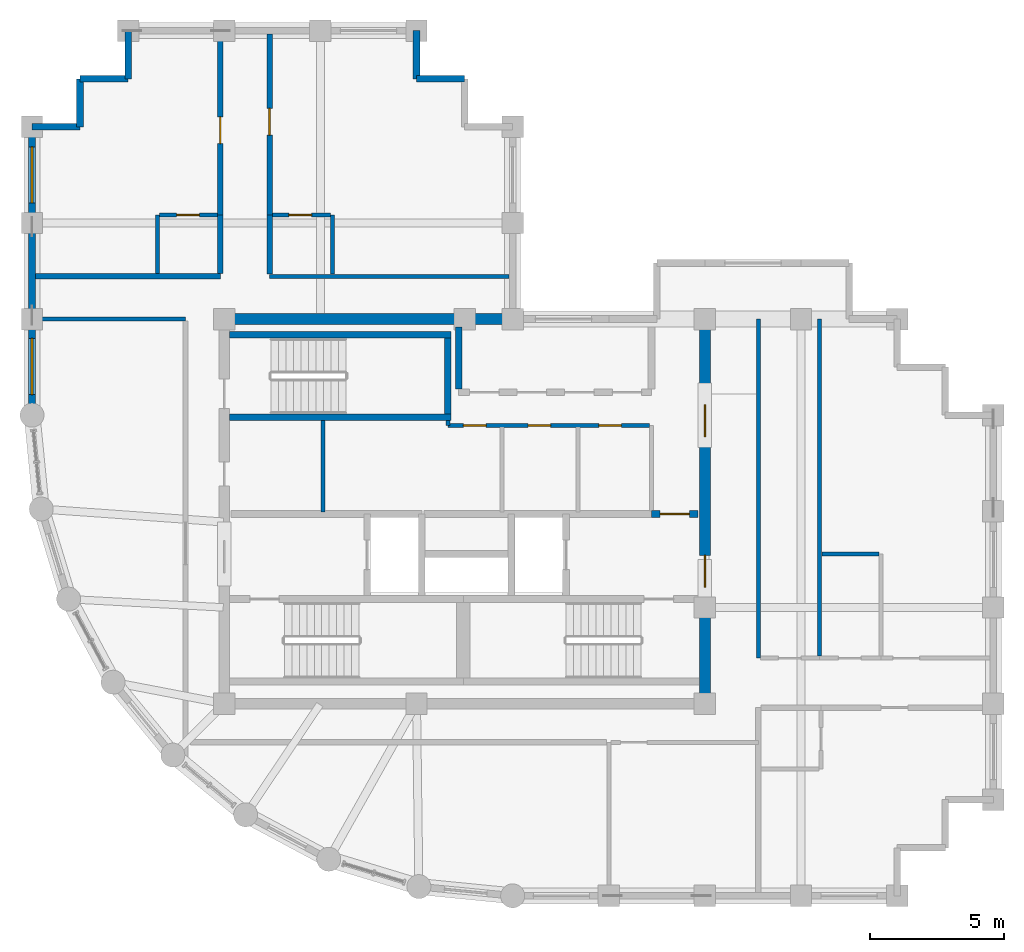
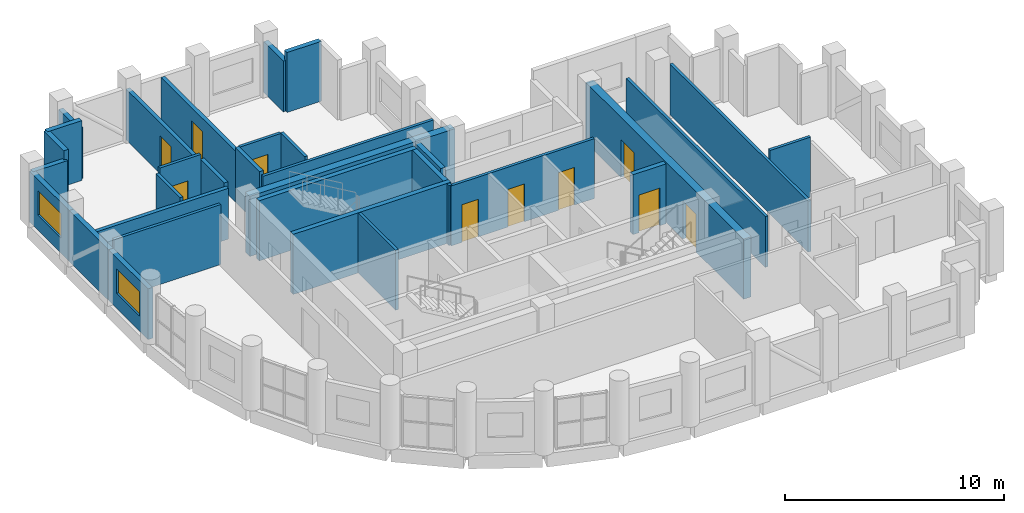
# One storey, part 8 of 11: 33 walls, 10 doors, 2 windows, 12 openings.
"""IFC4 building model written with IfcOpenShell, lengths in metres."""

from ifc_helpers import new_model, si_unit, direction, frame, frame_2d, origin, place, context, subcontext, project, spatial, rectangle, extrude, material, layer, layer_set, type_object, element, fill, save


model = new_model("IFC4")

# Units and contexts
model_context = context("Model", 3, precision=1e-05, world=origin(), true_north=direction((0.0, 1.0)))
body_context = subcontext(model_context, "Body", "Model", "MODEL_VIEW")
ifc_project = project(units=[si_unit("LENGTHUNIT", "METRE"), si_unit("AREAUNIT", "SQUARE_METRE"), si_unit("VOLUMEUNIT", "CUBIC_METRE"), si_unit("PLANEANGLEUNIT", "RADIAN"), si_unit("MASSUNIT", "GRAM", prefix="KILO")], contexts=[model_context])

# Site, building, storey
site_placement = place(None, origin())
site = spatial("IfcSite", under=ifc_project, at=site_placement, CompositionType="ELEMENT")
building_placement = place(site_placement, origin())
building = spatial("IfcBuilding", under=site, at=building_placement, Name="Solnavia Interchange Tower", CompositionType="ELEMENT")
storey_placement = place(building_placement, frame((0.0, 0.0, 284.60009765625)))
storey = spatial("IfcBuildingStorey", under=building, at=storey_placement, Name="L72", CompositionType="ELEMENT", Elevation=284.60009765625)

# Walls
ifc_material_1 = material(Name="Gypsum Acoustic Twin-Stud & Mineral Wool", Category="gypsum")
ifc_layer_1 = layer(ifc_material_1, 0.199951171875)
ifc_layer_set_1 = layer_set([ifc_layer_1], Name="Gypsum Acoustic Twin-Stud & Mineral Wool")
wall_type_1 = type_object("IfcWallType", Name="Wall-ApartmentParty-200", PredefinedType="PARTITIONING", material=ifc_layer_set_1)
wall_1_placement = place(storey_placement, frame((7.3291015625, 26.800048828125, 0.0), z_axis=(0.0, 0.0, 1.0), x_axis=(1.0, 0.0, 0.0)))
element("IfcWall", 1, at=wall_1_placement, inside=storey, type_object=wall_type_1, Name="PTW-L72-18 Interior partition wall", PredefinedType="PARTITIONING", context=body_context, shape_type="SweptSolid", body=[
    extrude(rectangle(XDim=6.9208984375, YDim=0.199951171875, at=frame_2d((3.46044921875, 0.0))), origin(), (0.0, 0.0, 1.0), 2.829833984375),
])
wall_2_placement = place(storey_placement, frame((14.25, 26.904052734375, 0.0), z_axis=(0.0, 0.0, 1.0), x_axis=(0.0, 1.0, 0.0)))
element("IfcWall", 2, at=wall_2_placement, inside=storey, type_object=wall_type_1, Name="PTW-L72-19 Interior partition wall", PredefinedType="PARTITIONING", context=body_context, shape_type="SweptSolid", body=[
    extrude(rectangle(XDim=2.196044921875, YDim=0.199951171875, at=frame_2d((1.09814453125, 0.0))), origin(), (0.0, 0.0, 1.0), 3.02978515625),
])

# Wall, opening, door
wall_3_placement = place(storey_placement, frame((14.25, 29.10009765625, 0.0), z_axis=(0.0, 0.0, 1.0), x_axis=(0.0, 1.0, 0.0)))
wall_3 = element("IfcWall", 3, at=wall_3_placement, inside=storey, type_object=wall_type_1, Name="PTW-L72-20 Interior partition wall", PredefinedType="PARTITIONING", context=body_context, shape_type="SweptSolid", body=[
    extrude(rectangle(XDim=6.77099609375, YDim=0.199951171875, at=frame_2d((3.385498046875, 0.0))), origin(), (0.0, 0.0, 1.0), 2.829833984375),
])
opening_1_placement = place(wall_3_placement, frame((2.6708984375, 0.0, 0.0)))
opening_1 = element("IfcOpeningElement", 4, at=opening_1_placement, cuts=wall_3, Name="Opening DR-06", PredefinedType="OPENING", context=body_context, shape_type="SweptSolid", body=[
    extrude(rectangle(XDim=1.0, YDim=2.10009765625, at=frame_2d((0.5, 1.050048828125))), frame((0.0, 0.10986328125, 0.0), z_axis=(0.0, -1.0, 0.0), x_axis=(1.0, 0.0, 0.0)), (0.0, 0.0, 1.0), 0.219970703125),
])
ifc_material_2 = material(Name="Engineered Timber Acoustic Fire Door", Category="wood")
door_type_1 = type_object("IfcDoorType", Name="Door-FlatEntry-1000x2100", OperationType="SINGLE_SWING_LEFT", PredefinedType="DOOR", material=ifc_material_2)
door_1_placement = place(opening_1_placement, origin())
door_1 = element("IfcDoor", 5, at=door_1_placement, inside=storey, type_object=door_type_1, Name="DR-L72-08 Interior room door", OperationType="SINGLE_SWING_RIGHT", OverallHeight=2.10009765625, OverallWidth=1.0, PredefinedType="DOOR", context=body_context, shape_type="SweptSolid", body=[
    extrude(rectangle(XDim=1.0, YDim=2.10009765625, at=frame_2d((0.5, 1.050048828125))), frame((0.0, 0.02490234375, 0.0), z_axis=(0.0, -1.0, 0.0), x_axis=(1.0, 0.0, 0.0)), (0.0, 0.0, 1.0), 0.050048828125),
])
fill(opening_1, door_1)

# Wall
wall_4_placement = place(storey_placement, frame((16.10009765625, 26.87890625, 0.0), z_axis=(0.0, 0.0, 1.0), x_axis=(0.0, 1.0, 0.0)))
element("IfcWall", 6, at=wall_4_placement, inside=storey, type_object=wall_type_1, Name="PTW-L72-24 Interior partition wall", PredefinedType="PARTITIONING", context=body_context, shape_type="SweptSolid", body=[
    extrude(rectangle(XDim=2.22119140625, YDim=0.199951171875, at=frame_2d((1.110595703125, 0.0))), origin(), (0.0, 0.0, 1.0), 3.02978515625),
])

# Wall, opening, door
wall_5_placement = place(storey_placement, frame((16.10009765625, 29.10009765625, 0.0), z_axis=(0.0, 0.0, 1.0), x_axis=(0.0, 1.0, 0.0)))
wall_5 = element("IfcWall", 7, at=wall_5_placement, inside=storey, type_object=wall_type_1, Name="PTW-L72-25 Interior partition wall", PredefinedType="PARTITIONING", context=body_context, shape_type="SweptSolid", body=[
    extrude(rectangle(XDim=6.77099609375, YDim=0.199951171875, at=frame_2d((3.385498046875, 0.0))), origin(), (0.0, 0.0, 1.0), 2.829833984375),
])
opening_2_placement = place(wall_5_placement, frame((2.989990234375, 0.0, 0.0)))
opening_2 = element("IfcOpeningElement", 8, at=opening_2_placement, cuts=wall_5, Name="Opening DR-06", PredefinedType="OPENING", context=body_context, shape_type="SweptSolid", body=[
    extrude(rectangle(XDim=1.0, YDim=2.10009765625, at=frame_2d((0.5, 1.050048828125))), frame((0.0, 0.10986328125, 0.0), z_axis=(0.0, -1.0, 0.0), x_axis=(1.0, 0.0, 0.0)), (0.0, 0.0, 1.0), 0.219970703125),
])
door_2_placement = place(opening_2_placement, origin())
door_2 = element("IfcDoor", 9, at=door_2_placement, inside=storey, type_object=door_type_1, Name="DR-L72-10 Interior room door", OperationType="SINGLE_SWING_LEFT", OverallHeight=2.10009765625, OverallWidth=1.0, PredefinedType="DOOR", context=body_context, shape_type="SweptSolid", body=[
    extrude(rectangle(XDim=1.0, YDim=2.10009765625, at=frame_2d((0.5, 1.050048828125))), frame((0.0, 0.02490234375, 0.0), z_axis=(0.0, -1.0, 0.0), x_axis=(1.0, 0.0, 0.0)), (0.0, 0.0, 1.0), 0.050048828125),
])
fill(opening_2, door_2)

# Walls
ifc_material_3 = material(Name="Concrete C40/50", Category="concrete")
ifc_layer_2 = layer(ifc_material_3, 0.25)
ifc_layer_set_2 = layer_set([ifc_layer_2], Name="Concrete C40/50")
wall_type_2 = type_object("IfcWallType", Name="Wall-ExtSpandrel-250", PredefinedType="STANDARD", material=ifc_layer_set_2)
wall_6_placement = place(storey_placement, frame((21.60009765625, 34.199951171875, 0.0), z_axis=(0.0, 0.0, 1.0), x_axis=(1.0, 0.0, 0.0)))
element("IfcWall", 10, at=wall_6_placement, inside=storey, type_object=wall_type_2, Name="EXW-L72-29 Exterior precast spandrel wall", PredefinedType="STANDARD", context=body_context, shape_type="SweptSolid", body=[
    extrude(rectangle(XDim=1.7998046875, YDim=0.25, at=frame_2d((0.89990234375, 0.0))), origin(), (0.0, 0.0, 1.0), 3.3349609375),
])
for number, where, z_axis, x_axis, name in (
    (11, (21.60009765625, 34.199951171875, 0.0), (0.0, 0.0, 1.0), (0.0, 1.0, 0.0), "EXW-L72-30 Exterior precast spandrel wall"),
    (12, (10.800048828125, 34.199951171875, 0.0), (0.0, 0.0, 1.0), (0.0, 1.0, 0.0), "EXW-L72-34 Exterior precast spandrel wall"),
):
    element("IfcWall", number, at=place(storey_placement, frame(where, z_axis=z_axis, x_axis=x_axis)), inside=storey, type_object=wall_type_2, Name=name, PredefinedType="STANDARD", context=body_context, shape_type="SweptSolid", body=[
        extrude(rectangle(XDim=1.800048828125, YDim=0.25, at=frame_2d((0.89990234375, 0.0))), origin(), (0.0, 0.0, 1.0), 2.829833984375),
    ])
for number, where, z_axis, x_axis, name in (
    (13, (9.0, 34.199951171875, 0.0), (0.0, 0.0, 1.0), (1.0, 0.0, 0.0), "EXW-L72-35 Exterior precast spandrel wall"),
    (14, (9.0, 32.39990234375, 0.0), (0.0, 0.0, 1.0), (0.0, 1.0, 0.0), "EXW-L72-36 Exterior precast spandrel wall"),
):
    element("IfcWall", number, at=place(storey_placement, frame(where, z_axis=z_axis, x_axis=x_axis)), inside=storey, type_object=wall_type_2, Name=name, PredefinedType="STANDARD", context=body_context, shape_type="SweptSolid", body=[
        extrude(rectangle(XDim=1.800048828125, YDim=0.25, at=frame_2d((0.89990234375, 0.0))), origin(), (0.0, 0.0, 1.0), 3.3349609375),
    ])
wall_7_placement = place(storey_placement, frame((7.199951171875, 32.39990234375, 0.0), z_axis=(0.0, 0.0, 1.0), x_axis=(1.0, 0.0, 0.0)))
element("IfcWall", 15, at=wall_7_placement, inside=storey, type_object=wall_type_2, Name="EXW-L72-37 Exterior precast spandrel wall", PredefinedType="STANDARD", context=body_context, shape_type="SweptSolid", body=[
    extrude(rectangle(XDim=1.800048828125, YDim=0.25, at=frame_2d((0.89990234375, 0.0))), origin(), (0.0, 0.0, 1.0), 2.829833984375),
])

# Wall, opening, window
wall_8_placement = place(storey_placement, frame((7.199951171875, 28.800048828125, 0.0), z_axis=(0.0, 0.0, 1.0), x_axis=(0.0, 1.0, 0.0)))
wall_8 = element("IfcWall", 16, at=wall_8_placement, inside=storey, type_object=wall_type_2, Name="EXW-L72-38 Exterior precast spandrel wall", PredefinedType="STANDARD", context=body_context, shape_type="SweptSolid", body=[
    extrude(rectangle(XDim=3.599853515625, YDim=0.25, at=frame_2d((1.7998046875, 0.0))), origin(), (0.0, 0.0, 1.0), 2.829833984375),
])
opening_3_placement = place(wall_8_placement, frame((0.75, 0.0, 0.85009765625)))
opening_3 = element("IfcOpeningElement", 17, at=opening_3_placement, cuts=wall_8, Name="Opening WIN-01", PredefinedType="OPENING", context=body_context, shape_type="SweptSolid", body=[
    extrude(rectangle(XDim=2.10009765625, YDim=1.35009765625, at=frame_2d((1.050048828125, 0.675048828125))), frame((0.0, 0.135009765625, 0.0), z_axis=(0.0, -1.0, 0.0), x_axis=(1.0, 0.0, 0.0)), (0.0, 0.0, 1.0), 0.27001953125),
])
ifc_material_4 = material(Name="Thermal-Break Aluminium & Low-E Glass", Category="aluminium")
window_type = type_object("IfcWindowType", Name="Window-Ribbon-2100x1350", PartitioningType="SINGLE_PANEL", PredefinedType="WINDOW", material=ifc_material_4)
window_1_placement = place(opening_3_placement, origin())
window_1 = element("IfcWindow", 18, at=window_1_placement, inside=storey, type_object=window_type, Name="WIN-L72-38 Facade ribbon window", OverallHeight=1.35009765625, OverallWidth=2.10009765625, PartitioningType="SINGLE_PANEL", PredefinedType="WINDOW", context=body_context, shape_type="SweptSolid", body=[
    extrude(rectangle(XDim=2.10009765625, YDim=1.35009765625, at=frame_2d((1.050048828125, 0.675048828125))), frame((0.0, 0.030029296875, 0.0), z_axis=(0.0, -1.0, 0.0), x_axis=(1.0, 0.0, 0.0)), (0.0, 0.0, 1.0), 0.06005859375),
])
fill(opening_3, window_1)

# Wall
wall_9_placement = place(storey_placement, frame((7.199951171875, 25.199951171875, 0.0), z_axis=(0.0, 0.0, 1.0), x_axis=(0.0, 1.0, 0.0)))
element("IfcWall", 19, at=wall_9_placement, inside=storey, type_object=wall_type_2, Name="EXW-L72-39 Exterior precast spandrel wall", PredefinedType="STANDARD", context=body_context, shape_type="SweptSolid", body=[
    extrude(rectangle(XDim=3.60009765625, YDim=0.25, at=frame_2d((1.800048828125, 0.0))), origin(), (0.0, 0.0, 1.0), 2.829833984375),
])

# Wall, opening, window
wall_10_placement = place(storey_placement, frame((7.199951171875, 21.60009765625, 0.0), z_axis=(0.0, 0.0, 1.0), x_axis=(0.0, 1.0, 0.0)))
wall_10 = element("IfcWall", 20, at=wall_10_placement, inside=storey, type_object=wall_type_2, Name="EXW-L72-40 Exterior precast spandrel wall", PredefinedType="STANDARD", context=body_context, shape_type="SweptSolid", body=[
    extrude(rectangle(XDim=3.599853515625, YDim=0.25, at=frame_2d((1.7998046875, 0.0))), origin(), (0.0, 0.0, 1.0), 2.829833984375),
])
opening_4_placement = place(wall_10_placement, frame((0.77490234375, 0.0, 0.85009765625)))
opening_4 = element("IfcOpeningElement", 21, at=opening_4_placement, cuts=wall_10, Name="Opening WIN-01", PredefinedType="OPENING", context=body_context, shape_type="SweptSolid", body=[
    extrude(rectangle(XDim=2.10009765625, YDim=1.35009765625, at=frame_2d((1.050048828125, 0.675048828125))), frame((0.0, 0.135009765625, 0.0), z_axis=(0.0, -1.0, 0.0), x_axis=(1.0, 0.0, 0.0)), (0.0, 0.0, 1.0), 0.27001953125),
])
window_2_placement = place(opening_4_placement, origin())
window_2 = element("IfcWindow", 22, at=window_2_placement, inside=storey, type_object=window_type, Name="WIN-L72-40 Facade ribbon window", OverallHeight=1.35009765625, OverallWidth=2.10009765625, PartitioningType="SINGLE_PANEL", PredefinedType="WINDOW", context=body_context, shape_type="SweptSolid", body=[
    extrude(rectangle(XDim=2.10009765625, YDim=1.35009765625, at=frame_2d((1.050048828125, 0.675048828125))), frame((0.0, 0.030029296875, 0.0), z_axis=(0.0, -1.0, 0.0), x_axis=(1.0, 0.0, 0.0)), (0.0, 0.0, 1.0), 0.06005859375),
])
fill(opening_4, window_2)

# Wall, openings, doors
ifc_material_5 = material(Name="Gypsum Plasterboard & Steel Stud", Category="steel")
ifc_layer_3 = layer(ifc_material_5, 0.14990234375)
ifc_layer_set_3 = layer_set([ifc_layer_3], Name="Gypsum Plasterboard & Steel Stud")
wall_type_3 = type_object("IfcWallType", Name="Wall-Partition-150", PredefinedType="PARTITIONING", material=ifc_layer_set_3)
wall_11_placement = place(storey_placement, frame((22.77490234375, 21.219970703125, 0.0), z_axis=(0.0, 0.0, 1.0), x_axis=(1.0, 0.0, 0.0)))
wall_11 = element("IfcWall", 23, at=wall_11_placement, inside=storey, type_object=wall_type_3, Name="CSW-L72-N-ALL Core shaft wall", PredefinedType="PARTITIONING", context=body_context, shape_type="SweptSolid", body=[
    extrude(rectangle(XDim=7.545166015625, YDim=0.14990234375, at=frame_2d((3.7724609375, 0.0))), origin(), (0.0, 0.0, 1.0), 3.3349609375),
])
opening_5_placement = place(wall_11_placement, frame((0.580078125, 0.0, 0.0)))
opening_5 = element("IfcOpeningElement", 24, at=opening_5_placement, cuts=wall_11, Name="Opening DR-10", PredefinedType="OPENING", context=body_context, shape_type="SweptSolid", body=[
    extrude(rectangle(XDim=0.85009765625, YDim=2.10009765625, at=frame_2d((0.425048828125, 1.050048828125))), frame((0.0, 0.0849609375, 0.0), z_axis=(0.0, -1.0, 0.0), x_axis=(1.0, 0.0, 0.0)), (0.0, 0.0, 1.0), 0.169921875),
])
opening_6_placement = place(wall_11_placement, frame((3.0, 0.0, 0.0)))
opening_6 = element("IfcOpeningElement", 25, at=opening_6_placement, cuts=wall_11, Name="Opening DR-10", PredefinedType="OPENING", context=body_context, shape_type="SweptSolid", body=[
    extrude(rectangle(XDim=0.85009765625, YDim=2.10009765625, at=frame_2d((0.425048828125, 1.050048828125))), frame((0.0, 0.0849609375, 0.0), z_axis=(0.0, -1.0, 0.0), x_axis=(1.0, 0.0, 0.0)), (0.0, 0.0, 1.0), 0.169921875),
])
opening_7_placement = place(wall_11_placement, frame((5.64990234375, 0.0, 0.0)))
opening_7 = element("IfcOpeningElement", 26, at=opening_7_placement, cuts=wall_11, Name="Opening DR-10", PredefinedType="OPENING", context=body_context, shape_type="SweptSolid", body=[
    extrude(rectangle(XDim=0.85009765625, YDim=2.10009765625, at=frame_2d((0.425048828125, 1.050048828125))), frame((0.0, 0.0849609375, 0.0), z_axis=(0.0, -1.0, 0.0), x_axis=(1.0, 0.0, 0.0)), (0.0, 0.0, 1.0), 0.169921875),
])
ifc_material_6 = material(Name="Moisture-Resistant Timber Door", Category="wood")
door_type_2 = type_object("IfcDoorType", Name="Door-Bathroom-850x2100", OperationType="SINGLE_SWING_RIGHT", PredefinedType="DOOR", material=ifc_material_6)
door_3_placement = place(opening_5_placement, origin())
door_3 = element("IfcDoor", 27, at=door_3_placement, inside=storey, type_object=door_type_2, Name="DR-L72-CS2 Core fire door", OperationType="SINGLE_SWING_LEFT", OverallHeight=2.10009765625, OverallWidth=0.85009765625, PredefinedType="DOOR", context=body_context, shape_type="SweptSolid", body=[
    extrude(rectangle(XDim=0.85009765625, YDim=2.10009765625, at=frame_2d((0.425048828125, 1.050048828125))), frame((0.0, 0.02490234375, 0.0), z_axis=(0.0, -1.0, 0.0), x_axis=(1.0, 0.0, 0.0)), (0.0, 0.0, 1.0), 0.050048828125),
])
fill(opening_5, door_3)
door_4_placement = place(opening_6_placement, origin())
door_4 = element("IfcDoor", 28, at=door_4_placement, inside=storey, type_object=door_type_2, Name="DR-L72-CS3 Core fire door", OperationType="SINGLE_SWING_LEFT", OverallHeight=2.10009765625, OverallWidth=0.85009765625, PredefinedType="DOOR", context=body_context, shape_type="SweptSolid", body=[
    extrude(rectangle(XDim=0.85009765625, YDim=2.10009765625, at=frame_2d((0.425048828125, 1.050048828125))), frame((0.0, 0.02490234375, 0.0), z_axis=(0.0, -1.0, 0.0), x_axis=(1.0, 0.0, 0.0)), (0.0, 0.0, 1.0), 0.050048828125),
])
fill(opening_6, door_4)
door_5_placement = place(opening_7_placement, origin())
door_5 = element("IfcDoor", 29, at=door_5_placement, inside=storey, type_object=door_type_2, Name="DR-L72-CS4 Core fire door", OperationType="SINGLE_SWING_RIGHT", OverallHeight=2.10009765625, OverallWidth=0.85009765625, PredefinedType="DOOR", context=body_context, shape_type="SweptSolid", body=[
    extrude(rectangle(XDim=0.85009765625, YDim=2.10009765625, at=frame_2d((0.425048828125, 1.050048828125))), frame((0.0, 0.02490234375, 0.0), z_axis=(0.0, -1.0, 0.0), x_axis=(1.0, 0.0, 0.0)), (0.0, 0.0, 1.0), 0.050048828125),
])
fill(opening_7, door_5)

# Walls
wall_12_placement = place(storey_placement, frame((22.77490234375, 21.219970703125, 0.0), z_axis=(0.0, 0.0, 1.0), x_axis=(0.0, 1.0, 0.0)))
element("IfcWall", 30, at=wall_12_placement, inside=storey, type_object=wall_type_3, Name="CSW-L72-ST-TIE Core shaft wall", PredefinedType="PARTITIONING", context=body_context, shape_type="SweptSolid", body=[
    extrude(rectangle(XDim=0.175048828125, YDim=0.14990234375, at=frame_2d((0.08740234375, 0.0))), origin(), (0.0, 0.0, 1.0), 3.3349609375),
])
wall_13_placement = place(storey_placement, frame((18.10009765625, 17.97998046875, 0.0), z_axis=(0.0, 0.0, 1.0), x_axis=(0.0, 1.0, 0.0)))
element("IfcWall", 31, at=wall_13_placement, inside=storey, type_object=wall_type_3, Name="CSW-L72-M1 Core shaft wall", PredefinedType="PARTITIONING", context=body_context, shape_type="SweptSolid", body=[
    extrude(rectangle(XDim=3.419921875, YDim=0.14990234375, at=frame_2d((1.7099609375, 0.0))), origin(), (0.0, 0.0, 1.0), 3.3349609375),
])
wall_14_placement = place(storey_placement, frame((7.3291015625, 25.199951171875, 0.0), z_axis=(0.0, 0.0, 1.0), x_axis=(1.0, 0.0, 0.0)))
element("IfcWall", 32, at=wall_14_placement, inside=storey, type_object=wall_type_3, Name="PTW-L72-07 Interior partition wall", PredefinedType="PARTITIONING", context=body_context, shape_type="SweptSolid", body=[
    extrude(rectangle(XDim=5.620849609375, YDim=0.14990234375, at=frame_2d((2.810546875, 0.0))), origin(), (0.0, 0.0, 1.0), 3.3349609375),
])
wall_15_placement = place(storey_placement, frame((16.10009765625, 26.800048828125, 0.0), z_axis=(0.0, 0.0, 1.0), x_axis=(1.0, 0.0, 0.0)))
element("IfcWall", 33, at=wall_15_placement, inside=storey, type_object=wall_type_3, Name="PTW-L72-23 Interior partition wall", PredefinedType="PARTITIONING", context=body_context, shape_type="SweptSolid", body=[
    extrude(rectangle(XDim=8.970947265625, YDim=0.14990234375, at=frame_2d((4.4853515625, 0.0))), origin(), (0.0, 0.0, 1.0), 2.829833984375),
])
ifc_layer_4 = layer(ifc_material_3, 0.25)
ifc_layer_set_4 = layer_set([ifc_layer_4], Name="Concrete C40/50")
wall_type_4 = type_object("IfcWallType", Name="Wall-ShaftCore-250", PredefinedType="SHEAR", material=ifc_layer_set_4)
for number, where, z_axis, x_axis, name in (
    (34, (14.60009765625, 21.52490234375, 0.0), (0.0, 0.0, 1.0), (1.0, 0.0, 0.0), "SHW-L72-ST3S Core shear wall"),
    (35, (14.60009765625, 24.614990234375, 0.0), (0.0, 0.0, 1.0), (1.0, 0.0, 0.0), "SHW-L72-ST3N Core shear wall"),
):
    element("IfcWall", number, at=place(storey_placement, frame(where, z_axis=z_axis, x_axis=x_axis)), inside=storey, type_object=wall_type_4, Name=name, PredefinedType="SHEAR", context=body_context, shape_type="SweptSolid", body=[
        extrude(rectangle(XDim=8.2998046875, YDim=0.25, at=frame_2d((4.14990234375, 0.0))), origin(), (0.0, 0.0, 1.0), 3.349853515625),
    ])
wall_16_placement = place(storey_placement, frame((22.77490234375, 21.64990234375, 0.0), z_axis=(0.0, 0.0, 1.0), x_axis=(0.0, 1.0, 0.0)))
element("IfcWall", 36, at=wall_16_placement, inside=storey, type_object=wall_type_4, Name="SHW-L72-ST3E Core shear wall", PredefinedType="SHEAR", context=body_context, shape_type="SweptSolid", body=[
    extrude(rectangle(XDim=2.840087890625, YDim=0.25, at=frame_2d((1.419921875, 0.0))), origin(), (0.0, 0.0, 1.0), 3.349853515625),
])

# Wall, opening, door
ifc_layer_5 = layer(ifc_material_3, 0.25)
ifc_layer_set_5 = layer_set([ifc_layer_5], Name="Concrete C40/50")
wall_type_5 = type_object("IfcWallType", Name="Wall-ShaftPart-250", PredefinedType="PARTITIONING", material=ifc_layer_set_5)
wall_17_placement = place(storey_placement, frame((30.39990234375, 17.89990234375, 0.0), z_axis=(0.0, 0.0, 1.0), x_axis=(1.0, 0.0, 0.0)))
wall_17 = element("IfcWall", 37, at=wall_17_placement, inside=storey, type_object=wall_type_5, Name="SHW-L72-FFLE-N2 Core shaft wall", PredefinedType="PARTITIONING", context=body_context, shape_type="SweptSolid", body=[
    extrude(rectangle(XDim=1.75, YDim=0.25, at=frame_2d((0.875, 0.0))), origin(), (0.0, 0.0, 1.0), 3.3349609375),
])
opening_8_placement = place(wall_17_placement, frame((0.320068359375, 0.0, 0.0)))
opening_8 = element("IfcOpeningElement", 38, at=opening_8_placement, cuts=wall_17, Name="Opening DR-01", PredefinedType="OPENING", context=body_context, shape_type="SweptSolid", body=[
    extrude(rectangle(XDim=1.10009765625, YDim=2.10009765625, at=frame_2d((0.550048828125, 1.050048828125))), frame((0.0, 0.135009765625, 0.0), z_axis=(0.0, -1.0, 0.0), x_axis=(1.0, 0.0, 0.0)), (0.0, 0.0, 1.0), 0.27001953125),
])
ifc_material_7 = material(Name="Steel Fire-Rated Leaf & Frame", Category="steel")
door_type_3 = type_object("IfcDoorType", Name="Door-StairFire-1100x2100", OperationType="SINGLE_SWING_LEFT", PredefinedType="DOOR", material=ifc_material_7)
door_6_placement = place(opening_8_placement, origin())
door_6 = element("IfcDoor", 39, at=door_6_placement, inside=storey, type_object=door_type_3, Name="DR-L72-LLC Core fire door", OperationType="SINGLE_SWING_LEFT", OverallHeight=2.10009765625, OverallWidth=1.10009765625, PredefinedType="DOOR", context=body_context, shape_type="SweptSolid", body=[
    extrude(rectangle(XDim=1.10009765625, YDim=2.10009765625, at=frame_2d((0.550048828125, 1.050048828125))), frame((0.0, 0.02490234375, 0.0), z_axis=(0.0, -1.0, 0.0), x_axis=(1.0, 0.0, 0.0)), (0.0, 0.0, 1.0), 0.050048828125),
])
fill(opening_8, door_6)

# Walls
wall_18_placement = place(storey_placement, frame((23.179931640625, 22.5849609375, 0.0), z_axis=(0.0, 0.0, 1.0), x_axis=(0.0, 1.0, 0.0)))
element("IfcWall", 40, at=wall_18_placement, inside=storey, type_object=wall_type_5, Name="SHW-L72-B3W Core shaft wall", PredefinedType="PARTITIONING", context=body_context, shape_type="SweptSolid", body=[
    extrude(rectangle(XDim=2.31494140625, YDim=0.25, at=frame_2d((1.157470703125, 0.0))), origin(), (0.0, 0.0, 1.0), 3.3349609375),
])
ifc_material_8 = material(Name="Concrete C50/60", Category="concrete")
ifc_layer_6 = layer(ifc_material_8, 0.39990234375)
ifc_layer_set_6 = layer_set([ifc_layer_6], Name="Concrete C50/60")
wall_type_6 = type_object("IfcWallType", Name="Wall-ShearCore-400", PredefinedType="SHEAR", material=ifc_layer_set_6)
wall_19_placement = place(storey_placement, frame((14.39990234375, 25.199951171875, 0.0), z_axis=(0.0, 0.0, 1.0), x_axis=(1.0, 0.0, 0.0)))
element("IfcWall", 41, at=wall_19_placement, inside=storey, type_object=wall_type_6, Name="CRW-L72-N Core shear wall", PredefinedType="SHEAR", context=body_context, shape_type="SweptSolid", body=[
    extrude(rectangle(XDim=10.800048828125, YDim=0.39990234375, at=frame_2d((5.39990234375, 0.0))), origin(), (0.0, 0.0, 1.0), 3.349853515625),
])

# Wall, openings, doors
wall_20_placement = place(storey_placement, frame((32.39990234375, 10.800048828125, 0.0), z_axis=(0.0, 0.0, 1.0), x_axis=(0.0, 1.0, 0.0)))
wall_20 = element("IfcWall", 42, at=wall_20_placement, inside=storey, type_object=wall_type_6, Name="CRW-L72-E Core shear wall", PredefinedType="SHEAR", context=body_context, shape_type="SweptSolid", body=[
    extrude(rectangle(XDim=14.39990234375, YDim=0.39990234375, at=frame_2d((7.199951171875, 0.0))), origin(), (0.0, 0.0, 1.0), 3.349853515625),
])
opening_9_placement = place(wall_20_placement, frame((4.35009765625, 0.0, 0.0)))
opening_9 = element("IfcOpeningElement", 43, at=opening_9_placement, cuts=wall_20, Name="Opening DR-02", PredefinedType="OPENING", context=body_context, shape_type="SweptSolid", body=[
    extrude(rectangle(XDim=1.199951171875, YDim=2.10009765625, at=frame_2d((0.60009765625, 1.050048828125))), frame((0.0, 0.2099609375, 0.0), z_axis=(0.0, -1.0, 0.0), x_axis=(1.0, 0.0, 0.0)), (0.0, 0.0, 1.0), 0.419921875),
])
opening_10_placement = place(wall_20_placement, frame((10.0, 0.0, 0.0)))
opening_10 = element("IfcOpeningElement", 44, at=opening_10_placement, cuts=wall_20, Name="Opening DR-02", PredefinedType="OPENING", context=body_context, shape_type="SweptSolid", body=[
    extrude(rectangle(XDim=1.199951171875, YDim=2.10009765625, at=frame_2d((0.60009765625, 1.050048828125))), frame((0.0, 0.2099609375, 0.0), z_axis=(0.0, -1.0, 0.0), x_axis=(1.0, 0.0, 0.0)), (0.0, 0.0, 1.0), 0.419921875),
])
ifc_material_9 = material(Name="Steel Fire-Rated Vision-Panel Door", Category="steel")
door_type_4 = type_object("IfcDoorType", Name="Door-LobbyFire-1200x2100", OperationType="SINGLE_SWING_RIGHT", PredefinedType="DOOR", material=ifc_material_9)
door_7_placement = place(opening_9_placement, origin())
door_7 = element("IfcDoor", 45, at=door_7_placement, inside=storey, type_object=door_type_4, Name="DR-L72-FFL2E Core fire door", OperationType="SINGLE_SWING_LEFT", OverallHeight=2.10009765625, OverallWidth=1.199951171875, PredefinedType="DOOR", context=body_context, shape_type="SweptSolid", body=[
    extrude(rectangle(XDim=1.199951171875, YDim=2.10009765625, at=frame_2d((0.60009765625, 1.050048828125))), frame((0.0, 0.02490234375, 0.0), z_axis=(0.0, -1.0, 0.0), x_axis=(1.0, 0.0, 0.0)), (0.0, 0.0, 1.0), 0.050048828125),
])
fill(opening_9, door_7)
door_8_placement = place(opening_10_placement, origin())
door_8 = element("IfcDoor", 46, at=door_8_placement, inside=storey, type_object=door_type_4, Name="DR-L72-LLE Core fire door", OperationType="SINGLE_SWING_RIGHT", OverallHeight=2.10009765625, OverallWidth=1.199951171875, PredefinedType="DOOR", context=body_context, shape_type="SweptSolid", body=[
    extrude(rectangle(XDim=1.199951171875, YDim=2.10009765625, at=frame_2d((0.60009765625, 1.050048828125))), frame((0.0, 0.02490234375, 0.0), z_axis=(0.0, -1.0, 0.0), x_axis=(1.0, 0.0, 0.0)), (0.0, 0.0, 1.0), 0.050048828125),
])
fill(opening_10, door_8)

# Walls
ifc_material_10 = material(Name="Moisture-Resistant Gypsum & Steel Stud", Category="steel")
ifc_layer_7 = layer(ifc_material_10, 0.14990234375)
ifc_layer_set_7 = layer_set([ifc_layer_7], Name="Moisture-Resistant Gypsum & Steel Stud")
wall_type_7 = type_object("IfcWallType", Name="Wall-WetRoom-150", PredefinedType="PARTITIONING", material=ifc_layer_set_7)
wall_21_placement = place(storey_placement, frame((34.39990234375, 12.5, 0.0), z_axis=(0.0, 0.0, 1.0), x_axis=(0.0, 1.0, 0.0)))
element("IfcWall", 47, at=wall_21_placement, inside=storey, type_object=wall_type_7, Name="PTW-L72-01 Interior partition wall", PredefinedType="PARTITIONING", context=body_context, shape_type="SweptSolid", body=[
    extrude(rectangle(XDim=12.699951171875, YDim=0.14990234375, at=frame_2d((6.35009765625, 0.0))), origin(), (0.0, 0.0, 1.0), 2.829833984375),
])
wall_22_placement = place(storey_placement, frame((36.699951171875, 12.5791015625, 0.0), z_axis=(0.0, 0.0, 1.0), x_axis=(0.0, 1.0, 0.0)))
element("IfcWall", 48, at=wall_22_placement, inside=storey, type_object=wall_type_7, Name="PTW-L72-03 Interior partition wall", PredefinedType="PARTITIONING", context=body_context, shape_type="SweptSolid", body=[
    extrude(rectangle(XDim=12.620849609375, YDim=0.14990234375, at=frame_2d((6.310546875, 0.0))), origin(), (0.0, 0.0, 1.0), 2.829833984375),
])
wall_23_placement = place(storey_placement, frame((36.779052734375, 16.39990234375, 0.0), z_axis=(0.0, 0.0, 1.0), x_axis=(1.0, 0.0, 0.0)))
element("IfcWall", 49, at=wall_23_placement, inside=storey, type_object=wall_type_7, Name="PTW-L72-06 Interior partition wall", PredefinedType="PARTITIONING", context=body_context, shape_type="SweptSolid", body=[
    extrude(rectangle(XDim=2.141845703125, YDim=0.14990234375, at=frame_2d((1.07080078125, 0.0))), origin(), (0.0, 0.0, 1.0), 3.3349609375),
])
wall_24_placement = place(storey_placement, frame((11.89990234375, 26.904052734375, 0.0), z_axis=(0.0, 0.0, 1.0), x_axis=(0.0, 1.0, 0.0)))
element("IfcWall", 50, at=wall_24_placement, inside=storey, type_object=wall_type_7, Name="PTW-L72-21 Interior partition wall", PredefinedType="PARTITIONING", context=body_context, shape_type="SweptSolid", body=[
    extrude(rectangle(XDim=2.196044921875, YDim=0.14990234375, at=frame_2d((1.09814453125, 0.0))), origin(), (0.0, 0.0, 1.0), 3.02978515625),
])

# Wall, opening, door
wall_25_placement = place(storey_placement, frame((11.97900390625, 29.10009765625, 0.0), z_axis=(0.0, 0.0, 1.0), x_axis=(1.0, 0.0, 0.0)))
wall_25 = element("IfcWall", 51, at=wall_25_placement, inside=storey, type_object=wall_type_7, Name="PTW-L72-22 Interior partition wall", PredefinedType="PARTITIONING", context=body_context, shape_type="SweptSolid", body=[
    extrude(rectangle(XDim=2.1669921875, YDim=0.14990234375, at=frame_2d((1.08349609375, 0.0))), origin(), (0.0, 0.0, 1.0), 3.3349609375),
])
opening_11_placement = place(wall_25_placement, frame((0.64111328125, 0.0, 0.0)))
opening_11 = element("IfcOpeningElement", 52, at=opening_11_placement, cuts=wall_25, Name="Opening DR-10", PredefinedType="OPENING", context=body_context, shape_type="SweptSolid", body=[
    extrude(rectangle(XDim=0.85009765625, YDim=2.10009765625, at=frame_2d((0.425048828125, 1.050048828125))), frame((0.0, 0.0849609375, 0.0), z_axis=(0.0, -1.0, 0.0), x_axis=(1.0, 0.0, 0.0)), (0.0, 0.0, 1.0), 0.169921875),
])
door_9_placement = place(opening_11_placement, origin())
door_9 = element("IfcDoor", 53, at=door_9_placement, inside=storey, type_object=door_type_2, Name="DR-L72-09 Interior room door", OperationType="SINGLE_SWING_LEFT", OverallHeight=2.10009765625, OverallWidth=0.85009765625, PredefinedType="DOOR", context=body_context, shape_type="SweptSolid", body=[
    extrude(rectangle(XDim=0.85009765625, YDim=2.10009765625, at=frame_2d((0.425048828125, 1.050048828125))), frame((0.0, 0.02490234375, 0.0), z_axis=(0.0, -1.0, 0.0), x_axis=(1.0, 0.0, 0.0)), (0.0, 0.0, 1.0), 0.050048828125),
])
fill(opening_11, door_9)

# Wall
wall_26_placement = place(storey_placement, frame((18.449951171875, 26.87890625, 0.0), z_axis=(0.0, 0.0, 1.0), x_axis=(0.0, 1.0, 0.0)))
element("IfcWall", 54, at=wall_26_placement, inside=storey, type_object=wall_type_7, Name="PTW-L72-26 Interior partition wall", PredefinedType="PARTITIONING", context=body_context, shape_type="SweptSolid", body=[
    extrude(rectangle(XDim=2.22119140625, YDim=0.14990234375, at=frame_2d((1.110595703125, 0.0))), origin(), (0.0, 0.0, 1.0), 3.02978515625),
])

# Wall, opening, door
wall_27_placement = place(storey_placement, frame((16.2041015625, 29.10009765625, 0.0), z_axis=(0.0, 0.0, 1.0), x_axis=(1.0, 0.0, 0.0)))
wall_27 = element("IfcWall", 55, at=wall_27_placement, inside=storey, type_object=wall_type_7, Name="PTW-L72-27 Interior partition wall", PredefinedType="PARTITIONING", context=body_context, shape_type="SweptSolid", body=[
    extrude(rectangle(XDim=2.1669921875, YDim=0.14990234375, at=frame_2d((1.08349609375, 0.0))), origin(), (0.0, 0.0, 1.0), 3.02978515625),
])
opening_12_placement = place(wall_27_placement, frame((0.615966796875, 0.0, 0.0)))
opening_12 = element("IfcOpeningElement", 56, at=opening_12_placement, cuts=wall_27, Name="Opening DR-10", PredefinedType="OPENING", context=body_context, shape_type="SweptSolid", body=[
    extrude(rectangle(XDim=0.85009765625, YDim=2.10009765625, at=frame_2d((0.425048828125, 1.050048828125))), frame((0.0, 0.0849609375, 0.0), z_axis=(0.0, -1.0, 0.0), x_axis=(1.0, 0.0, 0.0)), (0.0, 0.0, 1.0), 0.169921875),
])
door_10_placement = place(opening_12_placement, origin())
door_10 = element("IfcDoor", 57, at=door_10_placement, inside=storey, type_object=door_type_2, Name="DR-L72-11 Interior room door", OperationType="SINGLE_SWING_RIGHT", OverallHeight=2.10009765625, OverallWidth=0.85009765625, PredefinedType="DOOR", context=body_context, shape_type="SweptSolid", body=[
    extrude(rectangle(XDim=0.85009765625, YDim=2.10009765625, at=frame_2d((0.425048828125, 1.050048828125))), frame((0.0, 0.02490234375, 0.0), z_axis=(0.0, -1.0, 0.0), x_axis=(1.0, 0.0, 0.0)), (0.0, 0.0, 1.0), 0.050048828125),
])
fill(opening_12, door_10)

save(model, "model.ifc")
